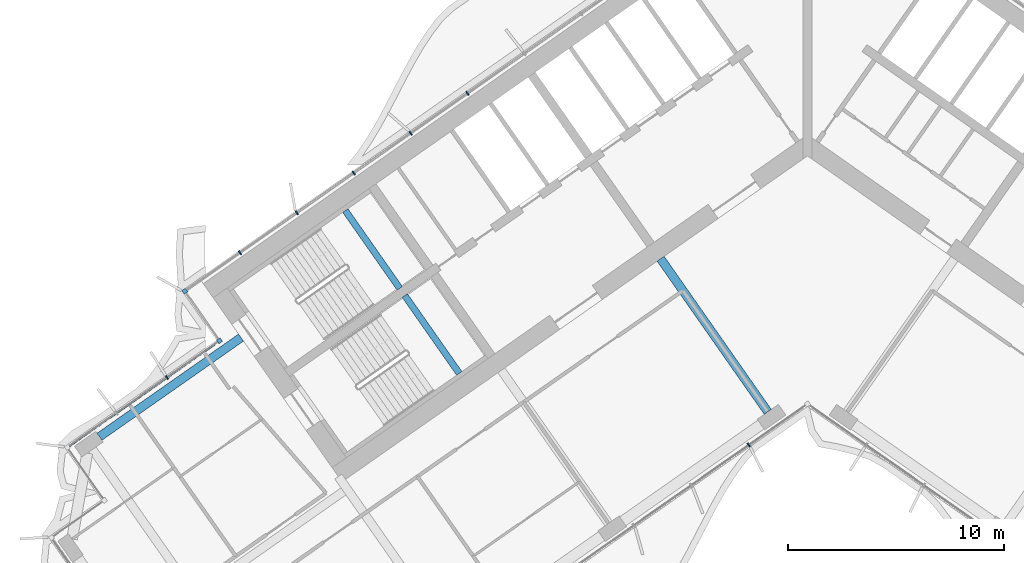
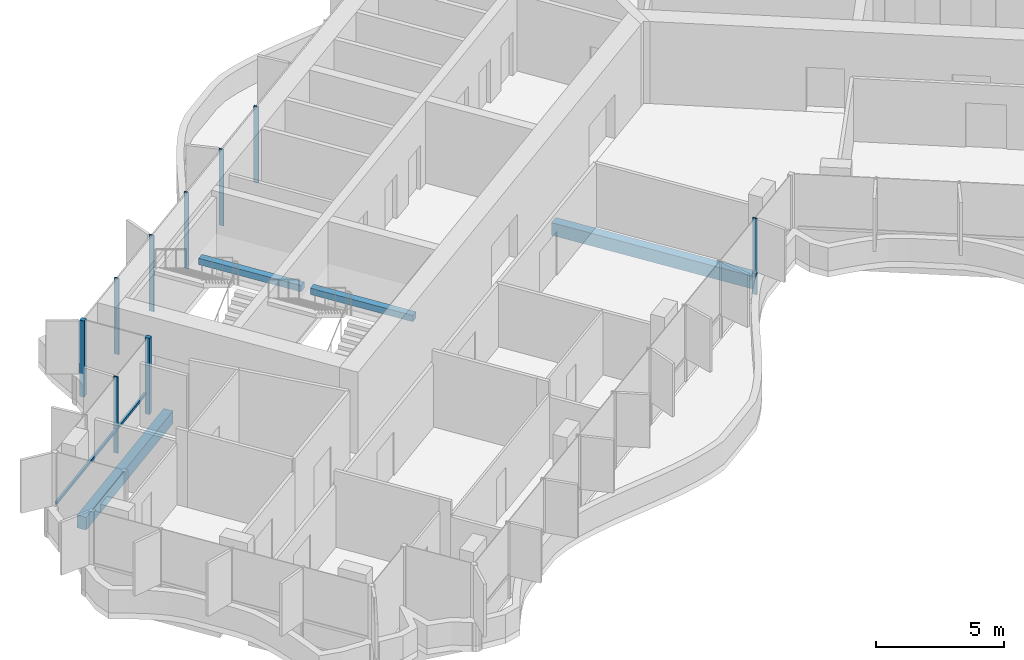
# One storey, part 4 of 21: 10 members, 4 beams, 2 elements without a shape of their own.
"""IFC4 building model written with IfcOpenShell, lengths in metres."""

from ifc_helpers import new_model, si_unit, direction, frame, origin, origin_2d, place, context, subcontext, project, spatial, rectangle, extrude, material, material_profile, profile_set, type_object, element, aggregate, save


model = new_model("IFC4")

# Units and contexts
model_context = context("Model", 3, precision=1e-05, world=origin(), true_north=direction((0.0, 1.0)))
body_context = subcontext(model_context, "Body", "Model", "MODEL_VIEW")
ifc_project = project(units=[si_unit("LENGTHUNIT", "METRE"), si_unit("AREAUNIT", "SQUARE_METRE"), si_unit("VOLUMEUNIT", "CUBIC_METRE"), si_unit("PLANEANGLEUNIT", "RADIAN"), si_unit("MASSUNIT", "GRAM", prefix="KILO")], contexts=[model_context])

# Site, building, storey
site_placement = place(None, origin())
site = spatial("IfcSite", under=ifc_project, at=site_placement, CompositionType="ELEMENT")
building_placement = place(site_placement, origin())
building = spatial("IfcBuilding", under=site, at=building_placement, Name="Tel Ilan Convention Tower", CompositionType="ELEMENT")
storey_placement = place(building_placement, frame((0.0, 0.0, 206.10009765625)))
storey = spatial("IfcBuildingStorey", under=building, at=storey_placement, Name="L48", CompositionType="ELEMENT", Elevation=206.10009765625)

# Beams
ifc_material_1 = material(Name="Concrete C40/50", Category="concrete")
ifc_material_profile_1 = material_profile(ifc_material_1, rectangle(XDim=0.39990234375, YDim=0.60009765625, at=origin_2d()), Name="RC 400x600")
ifc_profile_set_1 = profile_set([ifc_material_profile_1], Name="Concrete C40/50")
beam_type_1 = type_object("IfcBeamType", Name="Beam RC 400x600 Concrete C40/50", PredefinedType="BEAM", material=ifc_profile_set_1)
beam_1_placement = place(storey_placement, frame((-32.771484375, -14.21826171875, -0.580078125), z_axis=(0.819151624752, 0.573577035512, 0.0), x_axis=(-0.573577035512, 0.819151624752, 0.0)))
element("IfcBeam", 1, at=beam_1_placement, inside=storey, type_object=beam_type_1, Name="L48 beam W-W-BC-core", PredefinedType="BEAM", context=body_context, shape_type="SweptSolid", body=[
    extrude(rectangle(XDim=0.39990234375, YDim=0.60009765625, at=origin_2d()), origin(), (0.0, 0.0, 1.0), 8.0),
])
beam_2_placement = place(storey_placement, frame((-1.83740234375, -13.06689453125, -0.580078125), z_axis=(-0.573574099654, 0.819153680457, 0.0), x_axis=(-0.819153680457, -0.573574099654, 0.0)))
element("IfcBeam", 2, at=beam_2_placement, inside=storey, type_object=beam_type_1, Name="L48 beam W-W-F1-core", PredefinedType="BEAM", context=body_context, shape_type="SweptSolid", body=[
    extrude(rectangle(XDim=0.39990234375, YDim=0.60009765625, at=origin_2d()), origin(), (0.0, 0.0, 1.0), 8.64990234375),
])

# Curtain wall, members
ifc_material_2 = material(Name="Aluminium, bronze anodised", Category="aluminium")
curtain_wall_type_1 = type_object("IfcCurtainWallType", Name="CW2 STICK CURTAIN WALL, SPANDREL PANELS", PredefinedType="NOTDEFINED", material=ifc_material_2)
curtain_wall_1_placement = place(storey_placement, origin())
curtain_wall_1 = element("IfcCurtainWall", 3, at=curtain_wall_1_placement, inside=storey, type_object=curtain_wall_type_1, Name="Curtain wall CW2-38.01", PredefinedType="NOTDEFINED")
ifc_material_3 = material(Name="Aluminium, bronze anodised", Category="aluminium")
ifc_material_profile_2 = material_profile(ifc_material_3, rectangle(XDim=0.199951171875, YDim=0.199951171875, at=origin_2d()), Name="CW CORNER MULLION 200x200")
ifc_profile_set_2 = profile_set([ifc_material_profile_2], Name="Aluminium, bronze anodised")
member_type_1 = type_object("IfcMemberType", Name="CW CORNER MULLION 200x200", PredefinedType="MULLION", material=ifc_profile_set_2)
member_1_placement = place(storey_placement, frame((-28.819580078125, -7.483642578125, 0.0), z_axis=(0.0, 0.0, 1.0), x_axis=(-0.819152044289, -0.573576436351, 0.0)))
member_1 = element("IfcMember", 4, at=member_1_placement, type_object=member_type_1, Name="Corner mullion", PredefinedType="MULLION", context=body_context, shape_type="SweptSolid", body=[
    extrude(rectangle(XDim=0.199951171875, YDim=0.199951171875, at=origin_2d()), origin(), (0.0, 0.0, 1.0), 3.619873046875),
])
member_2_placement = place(storey_placement, frame((-27.213623046875, -9.77734375, 0.0), z_axis=(0.0, 0.0, 1.0), x_axis=(0.573576436351, -0.819152044289, 0.0)))
member_2 = element("IfcMember", 5, at=member_2_placement, type_object=member_type_1, Name="Corner mullion", PredefinedType="MULLION", context=body_context, shape_type="SweptSolid", body=[
    extrude(rectangle(XDim=0.199951171875, YDim=0.199951171875, at=origin_2d()), origin(), (0.0, 0.0, 1.0), 3.619873046875),
])
ifc_material_4 = material(Name="Aluminium, bronze anodised", Category="aluminium")
ifc_material_profile_3 = material_profile(ifc_material_4, rectangle(XDim=0.06005859375, YDim=0.199951171875, at=origin_2d()), Name="CW MULLION 60x200")
ifc_profile_set_3 = profile_set([ifc_material_profile_3], Name="Aluminium, bronze anodised")
member_type_2 = type_object("IfcMemberType", Name="CW MULLION 60x200", PredefinedType="MULLION", material=ifc_profile_set_3)
member_3_placement = place(storey_placement, frame((-15.73828125, 1.676025390625, 0.0), z_axis=(0.0, 0.0, 1.0), x_axis=(-0.819152044289, -0.573576436351, 0.0)))
member_3 = element("IfcMember", 6, at=member_3_placement, type_object=member_type_2, Name="Mullion", PredefinedType="MULLION", context=body_context, shape_type="SweptSolid", body=[
    extrude(rectangle(XDim=0.06005859375, YDim=0.199951171875, at=origin_2d()), origin(), (0.0, 0.0, 1.0), 3.619873046875),
])
member_4_placement = place(storey_placement, frame((-18.37109375, -0.16748046875, 0.0), z_axis=(0.0, 0.0, 1.0), x_axis=(-0.819152044289, -0.573576436351, 0.0)))
member_4 = element("IfcMember", 7, at=member_4_placement, type_object=member_type_2, Name="Mullion", PredefinedType="MULLION", context=body_context, shape_type="SweptSolid", body=[
    extrude(rectangle(XDim=0.06005859375, YDim=0.199951171875, at=origin_2d()), origin(), (0.0, 0.0, 1.0), 3.619873046875),
])
member_5_placement = place(storey_placement, frame((-21.003662109375, -2.0107421875, 0.0), z_axis=(0.0, 0.0, 1.0), x_axis=(-0.819152044289, -0.573576436351, 0.0)))
member_5 = element("IfcMember", 8, at=member_5_placement, type_object=member_type_2, Name="Mullion", PredefinedType="MULLION", context=body_context, shape_type="SweptSolid", body=[
    extrude(rectangle(XDim=0.06005859375, YDim=0.199951171875, at=origin_2d()), origin(), (0.0, 0.0, 1.0), 3.619873046875),
])
member_6_placement = place(storey_placement, frame((-23.63623046875, -3.854248046875, 0.0), z_axis=(0.0, 0.0, 1.0), x_axis=(-0.819152044289, -0.573576436351, 0.0)))
member_6 = element("IfcMember", 9, at=member_6_placement, type_object=member_type_2, Name="Mullion", PredefinedType="MULLION", context=body_context, shape_type="SweptSolid", body=[
    extrude(rectangle(XDim=0.06005859375, YDim=0.199951171875, at=origin_2d()), origin(), (0.0, 0.0, 1.0), 3.619873046875),
])
member_7_placement = place(storey_placement, frame((-26.268798828125, -5.697509765625, 0.0), z_axis=(0.0, 0.0, 1.0), x_axis=(-0.819152044289, -0.573576436351, 0.0)))
member_7 = element("IfcMember", 10, at=member_7_placement, type_object=member_type_2, Name="Mullion", PredefinedType="MULLION", context=body_context, shape_type="SweptSolid", body=[
    extrude(rectangle(XDim=0.06005859375, YDim=0.199951171875, at=origin_2d()), origin(), (0.0, 0.0, 1.0), 3.619873046875),
])
aggregate(curtain_wall_1, [member_3, member_4, member_5, member_6, member_7, member_1, member_2])

ifc_material_5 = material(Name="Aluminium, bronze anodised", Category="aluminium")
curtain_wall_type_2 = type_object("IfcCurtainWallType", Name="CW4 STICK CURTAIN WALL, OFFICE TINTED GLASS", PredefinedType="NOTDEFINED", material=ifc_material_5)
curtain_wall_2_placement = place(storey_placement, origin())
curtain_wall_2 = element("IfcCurtainWall", 11, at=curtain_wall_2_placement, inside=storey, type_object=curtain_wall_type_2, Name="Curtain wall CW4-38.02", PredefinedType="NOTDEFINED")
member_8_placement = place(storey_placement, frame((-29.6435546875, -11.478759765625, 0.0), z_axis=(0.0, 0.0, 1.0), x_axis=(-0.819152044289, -0.573576436351, 0.0)))
member_8 = element("IfcMember", 12, at=member_8_placement, type_object=member_type_2, Name="Mullion", PredefinedType="MULLION", context=body_context, shape_type="SweptSolid", body=[
    extrude(rectangle(XDim=0.06005859375, YDim=0.199951171875, at=origin_2d()), origin(), (0.0, 0.0, 1.0), 3.619873046875),
])
member_9_placement = place(storey_placement, frame((-2.719482421875, -14.60009765625, 0.0), z_axis=(0.0, 0.0, 1.0), x_axis=(0.819152044289, 0.573576436351, 0.0)))
member_9 = element("IfcMember", 13, at=member_9_placement, type_object=member_type_2, Name="Mullion", PredefinedType="MULLION", context=body_context, shape_type="SweptSolid", body=[
    extrude(rectangle(XDim=0.06005859375, YDim=0.199951171875, at=origin_2d()), origin(), (0.0, 0.0, 1.0), 3.619873046875),
])
ifc_material_6 = material(Name="Aluminium, bronze anodised", Category="aluminium")
ifc_material_profile_4 = material_profile(ifc_material_6, rectangle(XDim=0.10009765625, YDim=0.1201171875, at=origin_2d()), Name="CW TRANSOM 100x120")
ifc_profile_set_4 = profile_set([ifc_material_profile_4], Name="Aluminium, bronze anodised")
member_type_3 = type_object("IfcMemberType", Name="CW TRANSOM 100x120", PredefinedType="USERDEFINED", material=ifc_profile_set_4)
member_10_placement = place(storey_placement, frame((-27.459228515625, -9.94921875, 1.099853515625), z_axis=(-0.819149386388, -0.573580232209, 0.0), x_axis=(0.573580232209, -0.819149386388, 0.0)))
member_10 = element("IfcMember", 14, at=member_10_placement, type_object=member_type_3, Name="Transom", ObjectType="TRANSOM", PredefinedType="USERDEFINED", context=body_context, shape_type="SweptSolid", body=[
    extrude(rectangle(XDim=0.10009765625, YDim=0.1201171875, at=origin_2d()), origin(), (0.0, 0.0, 1.0), 8.199951171875),
])
aggregate(curtain_wall_2, [member_8, member_10, member_9])

# Beams
ifc_material_7 = material(Name="Concrete C40/50", Category="concrete")
ifc_material_profile_5 = material_profile(ifc_material_7, rectangle(XDim=0.300048828125, YDim=0.300048828125, at=origin_2d()), Name="RC 300x300")
ifc_profile_set_5 = profile_set([ifc_material_profile_5], Name="Concrete C40/50")
beam_type_2 = type_object("IfcBeamType", Name="Landing Beam RC 300x300 Concrete C40/50", PredefinedType="BEAM", material=ifc_profile_set_5)
beam_3_placement = place(storey_placement, frame((-18.870361328125, -7.353515625, 1.599853515625), z_axis=(-0.57354426506, 0.819174569928, 0.0), x_axis=(-0.819174569928, -0.57354426506, 0.0)))
element("IfcBeam", 15, at=beam_3_placement, inside=storey, type_object=beam_type_2, Name="S1 landing beam L48.1", PredefinedType="BEAM", context=body_context, shape_type="SweptSolid", body=[
    extrude(rectangle(XDim=0.300048828125, YDim=0.300048828125, at=origin_2d()), origin(), (0.0, 0.0, 1.0), 4.400146484375),
])
beam_4_placement = place(storey_placement, frame((-16.1171875, -11.285400390625, 1.599853515625), z_axis=(-0.573570334442, 0.819156316858, 0.0), x_axis=(-0.819156316858, -0.573570334442, 0.0)))
element("IfcBeam", 16, at=beam_4_placement, inside=storey, type_object=beam_type_2, Name="S2 landing beam L48.1", PredefinedType="BEAM", context=body_context, shape_type="SweptSolid", body=[
    extrude(rectangle(XDim=0.300048828125, YDim=0.300048828125, at=origin_2d()), origin(), (0.0, 0.0, 1.0), 4.39990234375),
])

save(model, "model.ifc")
